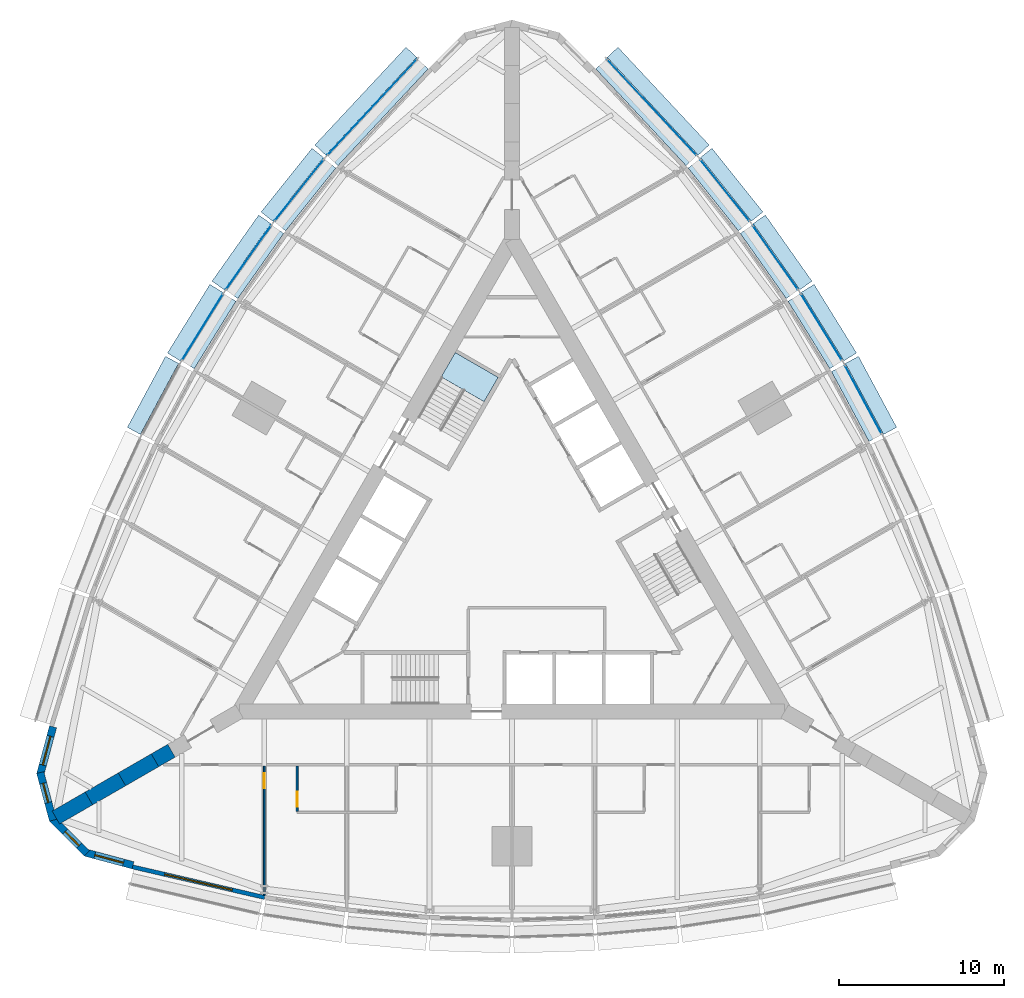
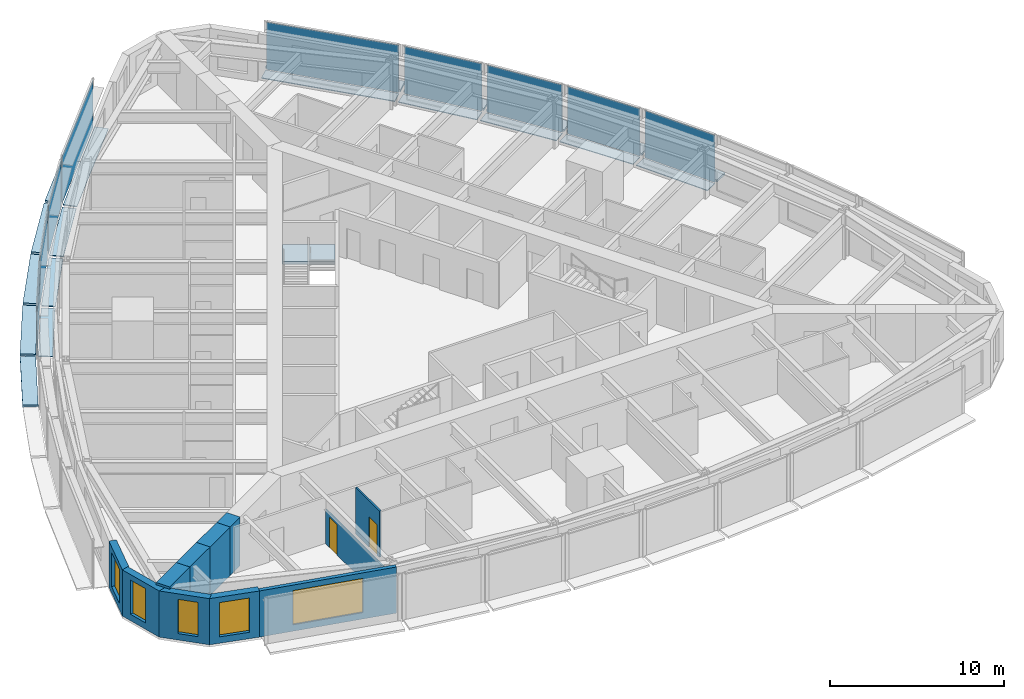
# One storey, part 7 of 14: 28 plates, 11 walls, 5 windows, 2 doors, 1 slab, 7 openings, 10 elements without a shape of their own.
"""IFC4 building model written with IfcOpenShell, lengths in metres."""

from ifc_helpers import new_model, si_unit, direction, frame, frame_2d, origin, origin_2d, place, context, subcontext, project, spatial, polyline, rectangle, outline, extrude, material, layer, layer_set, type_object, element, fill, aggregate, save


model = new_model("IFC4")

# Units and contexts
model_context = context("Model", 3, precision=1e-05, world=origin(), true_north=direction((0.0, 1.0)))
body_context = subcontext(model_context, "Body", "Model", "MODEL_VIEW")
ifc_project = project(units=[si_unit("LENGTHUNIT", "METRE"), si_unit("AREAUNIT", "SQUARE_METRE"), si_unit("VOLUMEUNIT", "CUBIC_METRE"), si_unit("PLANEANGLEUNIT", "RADIAN"), si_unit("MASSUNIT", "GRAM", prefix="KILO")], contexts=[model_context])

# Site, building, storey
site_placement = place(None, origin())
site = spatial("IfcSite", under=ifc_project, at=site_placement, CompositionType="ELEMENT")
building_placement = place(site_placement, origin())
building = spatial("IfcBuilding", under=site, at=building_placement, Name="Trikona Tower", CompositionType="ELEMENT")
storey_placement = place(building_placement, frame((0.0, 0.0, 52.300048828125)))
storey = spatial("IfcBuildingStorey", under=building, at=storey_placement, Name="L12", CompositionType="ELEMENT", Elevation=52.300048828125)

# Plates
ifc_material_1 = material(Name="Aluminium bar grating", Category="aluminium")
ifc_layer_1 = layer(ifc_material_1, 0.050048828125)
ifc_layer_set_1 = layer_set([ifc_layer_1], Name="Cavity catwalk grating")
plate_type_1 = type_object("IfcPlateType", Name="Cavity catwalk grating", PredefinedType="USERDEFINED", material=ifc_layer_set_1)
for number, where, z_axis, x_axis, name in (
    (1, (20.833740234375, 9.127197265625, -0.05029296875), (0.0, 0.0, 1.0), (-0.473422672721, 0.880835383572, 0.0), "Cavity catwalk L12-15"),
    (2, (18.3212890625, 13.47900390625, -0.05029296875), (0.0, 0.0, 1.0), (-0.526118935114, 0.85041099835, 0.0), "Cavity catwalk L12-16"),
):
    element("IfcPlate", number, at=place(storey_placement, frame(where, z_axis=z_axis, x_axis=x_axis)), inside=storey, type_object=plate_type_1, Name=name, ObjectType="CATWALK GRATING", PredefinedType="USERDEFINED", context=body_context, shape_type="SweptSolid", body=[
        extrude(rectangle(XDim=4.80224609375, YDim=0.820068359375, at=origin_2d()), origin(), (0.0, 0.0, 1.0), 0.050048828125),
    ])
plate_1_placement = place(storey_placement, frame((15.544189453125, 17.677734375, -0.05029296875), z_axis=(0.0, 0.0, 1.0), x_axis=(-0.576661909499, 0.816982889743, 0.0)))
element("IfcPlate", 3, at=plate_1_placement, inside=storey, type_object=plate_type_1, Name="Cavity catwalk L12-17", ObjectType="CATWALK GRATING", PredefinedType="USERDEFINED", context=body_context, shape_type="SweptSolid", body=[
    extrude(rectangle(XDim=4.82080078125, YDim=0.820068359375, at=origin_2d()), origin(), (0.0, 0.0, 1.0), 0.050048828125),
])
plate_2_placement = place(storey_placement, frame((12.502197265625, 21.72314453125, -0.05029296875), z_axis=(0.0, 0.0, 1.0), x_axis=(-0.624603618277, 0.780941944087, 0.0)))
element("IfcPlate", 4, at=plate_2_placement, inside=storey, type_object=plate_type_1, Name="Cavity catwalk L12-18", ObjectType="CATWALK GRATING", PredefinedType="USERDEFINED", context=body_context, shape_type="SweptSolid", body=[
    extrude(rectangle(XDim=4.857666015625, YDim=0.820068359375, at=origin_2d()), origin(), (0.0, 0.0, 1.0), 0.050048828125),
])
for number, where, z_axis, x_axis, name in (
    (5, (8.10107421875, 26.72314453125, -0.05029296875), (0.0, 0.0, 1.0), (-0.682298269147, 0.731073916864, 0.0), "Cavity catwalk L12-19"),
    (6, (-8.10107421875, 26.72314453125, -0.05029296875), (0.0, 0.0, 1.0), (-0.682298269147, -0.731073916864, 0.0), "Cavity catwalk L12-24"),
):
    element("IfcPlate", number, at=place(storey_placement, frame(where, z_axis=z_axis, x_axis=x_axis)), inside=storey, type_object=plate_type_1, Name=name, ObjectType="CATWALK GRATING", PredefinedType="USERDEFINED", context=body_context, shape_type="SweptSolid", body=[
        extrude(rectangle(XDim=8.01123046875, YDim=0.820068359375, at=origin_2d()), origin(), (0.0, 0.0, 1.0), 0.050048828125),
    ])
plate_3_placement = place(storey_placement, frame((-12.502197265625, 21.72314453125, -0.05029296875), z_axis=(0.0, 0.0, 1.0), x_axis=(-0.624603618277, -0.780941944087, 0.0)))
element("IfcPlate", 7, at=plate_3_placement, inside=storey, type_object=plate_type_1, Name="Cavity catwalk L12-25", ObjectType="CATWALK GRATING", PredefinedType="USERDEFINED", context=body_context, shape_type="SweptSolid", body=[
    extrude(rectangle(XDim=4.857666015625, YDim=0.820068359375, at=origin_2d()), origin(), (0.0, 0.0, 1.0), 0.050048828125),
])
plate_4_placement = place(storey_placement, frame((-15.544189453125, 17.677734375, -0.05029296875), z_axis=(0.0, 0.0, 1.0), x_axis=(-0.576661909499, -0.816982889743, 0.0)))
element("IfcPlate", 8, at=plate_4_placement, inside=storey, type_object=plate_type_1, Name="Cavity catwalk L12-26", ObjectType="CATWALK GRATING", PredefinedType="USERDEFINED", context=body_context, shape_type="SweptSolid", body=[
    extrude(rectangle(XDim=4.82080078125, YDim=0.820068359375, at=origin_2d()), origin(), (0.0, 0.0, 1.0), 0.050048828125),
])
plate_5_placement = place(storey_placement, frame((-18.3212890625, 13.47900390625, -0.05029296875), z_axis=(0.0, 0.0, 1.0), x_axis=(-0.526118935114, -0.85041099835, 0.0)))
element("IfcPlate", 9, at=plate_5_placement, inside=storey, type_object=plate_type_1, Name="Cavity catwalk L12-27", ObjectType="CATWALK GRATING", PredefinedType="USERDEFINED", context=body_context, shape_type="SweptSolid", body=[
    extrude(rectangle(XDim=4.80224609375, YDim=0.820068359375, at=origin_2d()), origin(), (0.0, 0.0, 1.0), 0.050048828125),
])

# Curtain wall, plate
ifc_material_2 = material(Name="Aluminium curtain wall system", Category="aluminium")
curtain_wall_type = type_object("IfcCurtainWallType", Name="Curtain wall DS1", PredefinedType="NOTDEFINED", material=ifc_material_2)
curtain_wall_1_placement = place(storey_placement, origin())
curtain_wall_1 = element("IfcCurtainWall", 10, at=curtain_wall_1_placement, inside=storey, type_object=curtain_wall_type, Name="Curtain wall DS1 L12", PredefinedType="NOTDEFINED")
ifc_material_3 = material(Name="Laminated clear glass", Category="glass")
ifc_layer_2 = layer(ifc_material_3, 0.028076171875)
ifc_layer_set_2 = layer_set([ifc_layer_2], Name="Glass panel DS1")
plate_type_2 = type_object("IfcPlateType", Name="Glass panel DS1", PredefinedType="CURTAIN_PANEL", material=ifc_layer_set_2)
plate_6_placement = place(storey_placement, frame((21.265380859375, 9.359130859375, 0.0), z_axis=(0.0, 0.0, 1.0), x_axis=(-0.473408350896, 0.880843080975, 0.0)))
plate_6 = element("IfcPlate", 11, at=plate_6_placement, type_object=plate_type_2, Name="CW-DS1 panel 1.1", PredefinedType="CURTAIN_PANEL", context=body_context, shape_type="SweptSolid", body=[
    extrude(rectangle(XDim=4.72216796875, YDim=0.028076171875, at=origin_2d()), origin(), (0.0, 0.0, 1.0), 3.320068359375),
])
aggregate(curtain_wall_1, [plate_6])

curtain_wall_2_placement = place(storey_placement, origin())
curtain_wall_2 = element("IfcCurtainWall", 12, at=curtain_wall_2_placement, inside=storey, type_object=curtain_wall_type, Name="Curtain wall DS1 L12", PredefinedType="NOTDEFINED")
plate_7_placement = place(storey_placement, frame((18.738037109375, 13.73681640625, 0.0), z_axis=(0.0, 0.0, 1.0), x_axis=(-0.526119790842, 0.850410468941, 0.0)))
plate_7 = element("IfcPlate", 13, at=plate_7_placement, type_object=plate_type_2, Name="CW-DS1 panel 1.1", PredefinedType="CURTAIN_PANEL", context=body_context, shape_type="SweptSolid", body=[
    extrude(rectangle(XDim=4.722412109375, YDim=0.028076171875, at=origin_2d()), origin(), (0.0, 0.0, 1.0), 3.320068359375),
])
aggregate(curtain_wall_2, [plate_7])

curtain_wall_3_placement = place(storey_placement, origin())
curtain_wall_3 = element("IfcCurtainWall", 14, at=curtain_wall_3_placement, inside=storey, type_object=curtain_wall_type, Name="Curtain wall DS1 L12", PredefinedType="NOTDEFINED")
plate_8_placement = place(storey_placement, frame((15.9443359375, 17.960205078125, 0.0), z_axis=(0.0, 0.0, 1.0), x_axis=(-0.576658362928, 0.816985393055, 0.0)))
plate_8 = element("IfcPlate", 15, at=plate_8_placement, type_object=plate_type_2, Name="CW-DS1 panel 1.1", PredefinedType="CURTAIN_PANEL", context=body_context, shape_type="SweptSolid", body=[
    extrude(rectangle(XDim=4.74072265625, YDim=0.028076171875, at=origin_2d()), origin(), (0.0, 0.0, 1.0), 3.320068359375),
])
aggregate(curtain_wall_3, [plate_8])

curtain_wall_4_placement = place(storey_placement, origin())
curtain_wall_4 = element("IfcCurtainWall", 16, at=curtain_wall_4_placement, inside=storey, type_object=curtain_wall_type, Name="Curtain wall DS1 L12", PredefinedType="NOTDEFINED")
plate_9_placement = place(storey_placement, frame((12.884765625, 22.029296875, 0.0), z_axis=(0.0, 0.0, 1.0), x_axis=(-0.624608599951, 0.780937959679, 0.0)))
plate_9 = element("IfcPlate", 17, at=plate_9_placement, type_object=plate_type_2, Name="CW-DS1 panel 1.1", PredefinedType="CURTAIN_PANEL", context=body_context, shape_type="SweptSolid", body=[
    extrude(rectangle(XDim=4.777587890625, YDim=0.028076171875, at=origin_2d()), origin(), (0.0, 0.0, 1.0), 3.320068359375),
])
aggregate(curtain_wall_4, [plate_9])

curtain_wall_5_placement = place(storey_placement, origin())
curtain_wall_5 = element("IfcCurtainWall", 18, at=curtain_wall_5_placement, inside=storey, type_object=curtain_wall_type, Name="Curtain wall DS1 L12", PredefinedType="NOTDEFINED")
plate_10_placement = place(storey_placement, frame((8.459228515625, 27.057373046875, 0.0), z_axis=(0.0, 0.0, 1.0), x_axis=(-0.682295351967, 0.731076639405, 0.0)))
plate_10 = element("IfcPlate", 19, at=plate_10_placement, type_object=plate_type_2, Name="CW-DS1 panel 1.1", PredefinedType="CURTAIN_PANEL", context=body_context, shape_type="SweptSolid", body=[
    extrude(rectangle(XDim=7.93115234375, YDim=0.028076171875, at=origin_2d()), origin(), (0.0, 0.0, 1.0), 3.320068359375),
])
aggregate(curtain_wall_5, [plate_10])

curtain_wall_6_placement = place(storey_placement, origin())
curtain_wall_6 = element("IfcCurtainWall", 20, at=curtain_wall_6_placement, inside=storey, type_object=curtain_wall_type, Name="Curtain wall DS1 L12", PredefinedType="NOTDEFINED")
plate_11_placement = place(storey_placement, frame((-8.459228515625, 27.057373046875, 0.0), z_axis=(0.0, 0.0, 1.0), x_axis=(-0.682295351967, -0.731076639405, 0.0)))
plate_11 = element("IfcPlate", 21, at=plate_11_placement, type_object=plate_type_2, Name="CW-DS1 panel 1.1", PredefinedType="CURTAIN_PANEL", context=body_context, shape_type="SweptSolid", body=[
    extrude(rectangle(XDim=7.93115234375, YDim=0.028076171875, at=origin_2d()), origin(), (0.0, 0.0, 1.0), 3.320068359375),
])
aggregate(curtain_wall_6, [plate_11])

curtain_wall_7_placement = place(storey_placement, origin())
curtain_wall_7 = element("IfcCurtainWall", 22, at=curtain_wall_7_placement, inside=storey, type_object=curtain_wall_type, Name="Curtain wall DS1 L12", PredefinedType="NOTDEFINED")
plate_12_placement = place(storey_placement, frame((-12.884765625, 22.029296875, 0.0), z_axis=(0.0, 0.0, 1.0), x_axis=(-0.624608599951, -0.780937959679, 0.0)))
plate_12 = element("IfcPlate", 23, at=plate_12_placement, type_object=plate_type_2, Name="CW-DS1 panel 1.1", PredefinedType="CURTAIN_PANEL", context=body_context, shape_type="SweptSolid", body=[
    extrude(rectangle(XDim=4.777587890625, YDim=0.028076171875, at=origin_2d()), origin(), (0.0, 0.0, 1.0), 3.320068359375),
])
aggregate(curtain_wall_7, [plate_12])

curtain_wall_8_placement = place(storey_placement, origin())
curtain_wall_8 = element("IfcCurtainWall", 24, at=curtain_wall_8_placement, inside=storey, type_object=curtain_wall_type, Name="Curtain wall DS1 L12", PredefinedType="NOTDEFINED")
plate_13_placement = place(storey_placement, frame((-15.9443359375, 17.960205078125, 0.0), z_axis=(0.0, 0.0, 1.0), x_axis=(-0.576658362928, -0.816985393055, 0.0)))
plate_13 = element("IfcPlate", 25, at=plate_13_placement, type_object=plate_type_2, Name="CW-DS1 panel 1.1", PredefinedType="CURTAIN_PANEL", context=body_context, shape_type="SweptSolid", body=[
    extrude(rectangle(XDim=4.74072265625, YDim=0.028076171875, at=origin_2d()), origin(), (0.0, 0.0, 1.0), 3.320068359375),
])
aggregate(curtain_wall_8, [plate_13])

curtain_wall_9_placement = place(storey_placement, origin())
curtain_wall_9 = element("IfcCurtainWall", 26, at=curtain_wall_9_placement, inside=storey, type_object=curtain_wall_type, Name="Curtain wall DS1 L12", PredefinedType="NOTDEFINED")
plate_14_placement = place(storey_placement, frame((-18.738037109375, 13.73681640625, 0.0), z_axis=(0.0, 0.0, 1.0), x_axis=(-0.526119790842, -0.850410468941, 0.0)))
plate_14 = element("IfcPlate", 27, at=plate_14_placement, type_object=plate_type_2, Name="CW-DS1 panel 1.1", PredefinedType="CURTAIN_PANEL", context=body_context, shape_type="SweptSolid", body=[
    extrude(rectangle(XDim=4.722412109375, YDim=0.028076171875, at=origin_2d()), origin(), (0.0, 0.0, 1.0), 3.320068359375),
])
aggregate(curtain_wall_9, [plate_14])

# Plates
ifc_material_4 = material(Name="Aluminium plate fin, pale anodised, on stainless steel outriggers", Category="steel")
ifc_layer_3 = layer(ifc_material_4, 0.14990234375)
ifc_layer_set_3 = layer_set([ifc_layer_3], Name="Outer skin fin 900")
plate_type_3 = type_object("IfcPlateType", Name="Outer skin fin 900", PredefinedType="USERDEFINED", material=ifc_layer_set_3)
for number, where, z_axis, x_axis, name in (
    (28, (21.732421875, 9.610107421875, 0.0), (0.0, 0.0, 1.0), (-0.473422672721, 0.880835383572, 0.0), "Outer skin fin L12-15"),
    (29, (19.188720703125, 14.015625, 0.0), (0.0, 0.0, 1.0), (-0.526118935114, 0.85041099835, 0.0), "Outer skin fin L12-16"),
):
    element("IfcPlate", number, at=place(storey_placement, frame(where, z_axis=z_axis, x_axis=x_axis)), inside=storey, type_object=plate_type_3, Name=name, ObjectType="FIN", PredefinedType="USERDEFINED", context=body_context, shape_type="SweptSolid", body=[
        extrude(rectangle(XDim=4.88232421875, YDim=0.89990234375, at=origin_2d()), origin(), (0.0, 0.0, 1.0), 0.14990234375),
    ])
plate_15_placement = place(storey_placement, frame((16.37744140625, 18.265869140625, 0.0), z_axis=(0.0, 0.0, 1.0), x_axis=(-0.576661909499, 0.816982889743, 0.0)))
element("IfcPlate", 30, at=plate_15_placement, inside=storey, type_object=plate_type_3, Name="Outer skin fin L12-17", ObjectType="FIN", PredefinedType="USERDEFINED", context=body_context, shape_type="SweptSolid", body=[
    extrude(rectangle(XDim=4.90087890625, YDim=0.89990234375, at=origin_2d()), origin(), (0.0, 0.0, 1.0), 0.14990234375),
])
plate_16_placement = place(storey_placement, frame((13.298583984375, 22.360107421875, 0.0), z_axis=(0.0, 0.0, 1.0), x_axis=(-0.624603618277, 0.780941944087, 0.0)))
element("IfcPlate", 31, at=plate_16_placement, inside=storey, type_object=plate_type_3, Name="Outer skin fin L12-18", ObjectType="FIN", PredefinedType="USERDEFINED", context=body_context, shape_type="SweptSolid", body=[
    extrude(rectangle(XDim=4.9375, YDim=0.89990234375, at=origin_2d()), origin(), (0.0, 0.0, 1.0), 0.14990234375),
])
for number, where, z_axis, x_axis, name in (
    (32, (8.8466796875, 27.419189453125, 0.0), (0.0, 0.0, 1.0), (-0.682298269147, 0.731073916864, 0.0), "Outer skin fin L12-19"),
    (33, (-8.8466796875, 27.419189453125, 0.0), (0.0, 0.0, 1.0), (-0.682298269147, -0.731073916864, 0.0), "Outer skin fin L12-24"),
):
    element("IfcPlate", number, at=place(storey_placement, frame(where, z_axis=z_axis, x_axis=x_axis)), inside=storey, type_object=plate_type_3, Name=name, ObjectType="FIN", PredefinedType="USERDEFINED", context=body_context, shape_type="SweptSolid", body=[
        extrude(rectangle(XDim=8.09130859375, YDim=0.89990234375, at=origin_2d()), origin(), (0.0, 0.0, 1.0), 0.14990234375),
    ])
plate_17_placement = place(storey_placement, frame((-13.298583984375, 22.360107421875, 0.0), z_axis=(0.0, 0.0, 1.0), x_axis=(-0.624603618277, -0.780941944087, 0.0)))
element("IfcPlate", 34, at=plate_17_placement, inside=storey, type_object=plate_type_3, Name="Outer skin fin L12-25", ObjectType="FIN", PredefinedType="USERDEFINED", context=body_context, shape_type="SweptSolid", body=[
    extrude(rectangle(XDim=4.9375, YDim=0.89990234375, at=origin_2d()), origin(), (0.0, 0.0, 1.0), 0.14990234375),
])
plate_18_placement = place(storey_placement, frame((-16.37744140625, 18.265869140625, 0.0), z_axis=(0.0, 0.0, 1.0), x_axis=(-0.576661909499, -0.816982889743, 0.0)))
element("IfcPlate", 35, at=plate_18_placement, inside=storey, type_object=plate_type_3, Name="Outer skin fin L12-26", ObjectType="FIN", PredefinedType="USERDEFINED", context=body_context, shape_type="SweptSolid", body=[
    extrude(rectangle(XDim=4.90087890625, YDim=0.89990234375, at=origin_2d()), origin(), (0.0, 0.0, 1.0), 0.14990234375),
])
for number, where, z_axis, x_axis, name in (
    (36, (-19.188720703125, 14.015625, 0.0), (0.0, 0.0, 1.0), (-0.526118935114, -0.85041099835, 0.0), "Outer skin fin L12-27"),
    (37, (-21.732421875, 9.610107421875, 0.0), (0.0, 0.0, 1.0), (-0.473422672721, -0.880835383572, 0.0), "Outer skin fin L12-28"),
):
    element("IfcPlate", number, at=place(storey_placement, frame(where, z_axis=z_axis, x_axis=x_axis)), inside=storey, type_object=plate_type_3, Name=name, ObjectType="FIN", PredefinedType="USERDEFINED", context=body_context, shape_type="SweptSolid", body=[
        extrude(rectangle(XDim=4.88232421875, YDim=0.89990234375, at=origin_2d()), origin(), (0.0, 0.0, 1.0), 0.14990234375),
    ])

# Stair, slab
ifc_material_5 = material(Name="Concrete f'c 5000 psi", Category="concrete")
stair_type = type_object("IfcStairType", Name="Core stair", PredefinedType="HALF_TURN_STAIR", material=ifc_material_5)
stair_placement = place(storey_placement, origin())
stair = element("IfcStair", 38, at=stair_placement, inside=storey, type_object=stair_type, Name="Stair C L12", PredefinedType="HALF_TURN_STAIR")
ifc_material_6 = material(Name="Concrete f'c 5000 psi", Category="concrete")
ifc_layer_4 = layer(ifc_material_6, 0.199951171875)
ifc_layer_set_4 = layer_set([ifc_layer_4], Name="Stair landing 200")
slab_type = type_object("IfcSlabType", Name="Stair landing 200", PredefinedType="LANDING", material=ifc_layer_set_4)
slab_placement = place(storey_placement, frame((0.0, 0.0, 1.5)))
slab = element("IfcSlab", 39, at=slab_placement, type_object=slab_type, Name="ST-C landing 2", PredefinedType="LANDING", context=body_context, shape_type="SweptSolid", body=[
    extrude(outline(polyline([(-0.837158203125, 10.702392578125), (-1.688720703125, 9.2275390625), (-4.286865234375, 10.7275390625), (-3.435302734375, 12.202392578125), (-0.837158203125, 10.702392578125)])), origin(), (0.0, 0.0, 1.0), 0.199951171875),
])
aggregate(stair, [slab])

# Wall, opening, door
ifc_material_7 = material(Name="Metal stud and cement board", Category="gypsum")
ifc_layer_5 = layer(ifc_material_7, 0.1201171875)
ifc_layer_set_5 = layer_set([ifc_layer_5], Name="Bathroom wall 120")
wall_type_1 = type_object("IfcWallType", Name="Bathroom wall 120", PredefinedType="PLUMBINGWALL", material=ifc_layer_set_5)
wall_1_placement = place(storey_placement, frame((-13.0, -12.826416015625, 0.0), z_axis=(0.0, 0.0, 1.0), x_axis=(0.0, -1.0, 0.0)))
wall_1 = element("IfcWall", 40, at=wall_1_placement, inside=storey, type_object=wall_type_1, Name="Bathroom wall 1201.1", PredefinedType="PLUMBINGWALL", context=body_context, shape_type="SweptSolid", body=[
    extrude(rectangle(XDim=2.739990234375, YDim=0.1201171875, at=frame_2d((1.3701171875, 0.0))), origin(), (0.0, 0.0, 1.0), 3.23486328125),
])
opening_1_placement = place(wall_1_placement, frame((1.550048828125, 0.0, 0.0)))
opening_1 = element("IfcOpeningElement", 41, at=opening_1_placement, cuts=wall_1, Name="Opening D2", PredefinedType="OPENING", context=body_context, shape_type="SweptSolid", body=[
    extrude(rectangle(XDim=0.89990234375, YDim=2.1298828125, at=frame_2d((0.449951171875, 1.06494140625))), frame((0.0, 0.070068359375, 0.0), z_axis=(0.0, -1.0, 0.0), x_axis=(1.0, 0.0, 0.0)), (0.0, 0.0, 1.0), 0.14013671875),
])
ifc_material_8 = material(Name="Steel door frame with solid-core timber leaf", Category="steel")
door_type_1 = type_object("IfcDoorType", Name="Bathroom door 900x2130", OperationType="SLIDING_TO_LEFT", PredefinedType="DOOR", material=ifc_material_8)
door_1_placement = place(opening_1_placement, origin())
door_1 = element("IfcDoor", 42, at=door_1_placement, inside=storey, type_object=door_type_1, Name="Bathroom door 1201.1", OperationType="SLIDING_TO_LEFT", OverallHeight=2.1298828125, OverallWidth=0.89990234375, PredefinedType="DOOR", context=body_context, shape_type="SweptSolid", body=[
    extrude(rectangle(XDim=0.89990234375, YDim=2.1298828125, at=frame_2d((0.449951171875, 1.06494140625))), frame((0.0, 0.02490234375, 0.0), z_axis=(0.0, -1.0, 0.0), x_axis=(1.0, 0.0, 0.0)), (0.0, 0.0, 1.0), 0.050048828125),
])
fill(opening_1, door_1)

# Wall, opening, window
ifc_material_9 = material(Name="Brick-faced precast concrete", Category="masonry")
ifc_layer_6 = layer(ifc_material_9, 0.449951171875)
ifc_layer_set_6 = layer_set([ifc_layer_6], Name="Brick-faced corner wall 450")
wall_type_2 = type_object("IfcWallType", Name="Brick-faced corner wall 450", PredefinedType="SOLIDWALL", material=ifc_layer_set_6)
wall_2_placement = place(storey_placement, frame((-27.78271484375, -10.450439453125, 0.0), z_axis=(0.0, 0.0, 1.0), x_axis=(-0.258780998834, -0.965936019953, 0.0)))
wall_2 = element("IfcWall", 43, at=wall_2_placement, inside=storey, type_object=wall_type_2, Name="External wall L12-32", PredefinedType="SOLIDWALL", context=body_context, shape_type="SweptSolid", body=[
    extrude(rectangle(XDim=2.98876953125, YDim=0.449951171875, at=frame_2d((1.494384765625, 0.0))), origin(), (0.0, 0.0, 1.0), 3.23486328125),
])
opening_2_placement = place(wall_2_placement, frame((0.59423828125, 0.0, 0.449951171875)))
opening_2 = element("IfcOpeningElement", 44, at=opening_2_placement, cuts=wall_2, Name="Opening W1824", PredefinedType="OPENING", context=body_context, shape_type="SweptSolid", body=[
    extrude(rectangle(XDim=1.800048828125, YDim=2.39990234375, at=frame_2d((0.89990234375, 1.199951171875))), frame((0.0, 0.23486328125, 0.0), z_axis=(0.0, -1.0, 0.0), x_axis=(1.0, 0.0, 0.0)), (0.0, 0.0, 1.0), 0.469970703125),
])
ifc_material_10 = material(Name="Aluminium-framed double glazing", Category="aluminium")
window_type_1 = type_object("IfcWindowType", Name="Window 1800x2400", PartitioningType="SINGLE_PANEL", PredefinedType="WINDOW", material=ifc_material_10)
window_1_placement = place(opening_2_placement, origin())
window_1 = element("IfcWindow", 45, at=window_1_placement, inside=storey, type_object=window_type_1, Name="Window 1216", OverallHeight=2.39990234375, OverallWidth=1.800048828125, PartitioningType="SINGLE_PANEL", PredefinedType="WINDOW", context=body_context, shape_type="SweptSolid", body=[
    extrude(rectangle(XDim=1.800048828125, YDim=2.39990234375, at=frame_2d((0.89990234375, 1.199951171875))), frame((0.0, 0.030029296875, 0.0), z_axis=(0.0, -1.0, 0.0), x_axis=(1.0, 0.0, 0.0)), (0.0, 0.0, 1.0), 0.06005859375),
])
fill(opening_2, window_1)

wall_3_placement = place(storey_placement, frame((-28.55615234375, -13.220947265625, 0.0), z_axis=(0.0, 0.0, 1.0), x_axis=(0.258801419081, -0.965930548995, 0.0)))
wall_3 = element("IfcWall", 46, at=wall_3_placement, inside=storey, type_object=wall_type_2, Name="External wall L12-33", PredefinedType="SOLIDWALL", context=body_context, shape_type="SweptSolid", body=[
    extrude(outline(polyline([(2.988525390625, 0.22509765625), (2.928955078125, 0.22509765625), (2.437255859375, 0.09326171875), (2.402099609375, 0.22509765625), (0.0, 0.22509765625), (0.0, -0.22509765625), (2.988525390625, -0.22509765625), (2.988525390625, 0.22509765625)])), origin(), (0.0, 0.0, 1.0), 3.23486328125),
])
opening_3_placement = place(wall_3_placement, frame((0.676025390625, 0.0, 0.449951171875)))
opening_3 = element("IfcOpeningElement", 47, at=opening_3_placement, cuts=wall_3, Name="Opening W1224", PredefinedType="OPENING", context=body_context, shape_type="SweptSolid", body=[
    extrude(rectangle(XDim=1.199951171875, YDim=2.39990234375, at=frame_2d((0.60009765625, 1.199951171875))), frame((0.0, 0.23486328125, 0.0), z_axis=(0.0, -1.0, 0.0), x_axis=(1.0, 0.0, 0.0)), (0.0, 0.0, 1.0), 0.469970703125),
])
ifc_material_11 = material(Name="Aluminium-framed double glazing", Category="aluminium")
window_type_2 = type_object("IfcWindowType", Name="Window 1200x2400", PartitioningType="SINGLE_PANEL", PredefinedType="WINDOW", material=ifc_material_11)
window_2_placement = place(opening_3_placement, origin())
window_2 = element("IfcWindow", 48, at=window_2_placement, inside=storey, type_object=window_type_2, Name="Window 1216", OverallHeight=2.39990234375, OverallWidth=1.199951171875, PartitioningType="SINGLE_PANEL", PredefinedType="WINDOW", context=body_context, shape_type="SweptSolid", body=[
    extrude(rectangle(XDim=1.199951171875, YDim=2.39990234375, at=frame_2d((0.60009765625, 1.199951171875))), frame((0.0, 0.030029296875, 0.0), z_axis=(0.0, -1.0, 0.0), x_axis=(1.0, 0.0, 0.0)), (0.0, 0.0, 1.0), 0.06005859375),
])
fill(opening_3, window_2)

wall_4_placement = place(storey_placement, frame((-27.8408203125, -16.006591796875, 0.0), z_axis=(0.0, 0.0, 1.0), x_axis=(0.707025086683, -0.707188466253, 0.0)))
wall_4 = element("IfcWall", 49, at=wall_4_placement, inside=storey, type_object=wall_type_2, Name="External wall L12-34", PredefinedType="SOLIDWALL", context=body_context, shape_type="SweptSolid", body=[
    extrude(outline(polyline([(2.988525390625, 0.22509765625), (0.58642578125, 0.22509765625), (0.551025390625, 0.093017578125), (0.058837890625, 0.22509765625), (0.0, 0.22509765625), (0.0, -0.22509765625), (2.988525390625, -0.22509765625), (2.988525390625, 0.22509765625)])), origin(), (0.0, 0.0, 1.0), 3.23486328125),
])
opening_4_placement = place(wall_4_placement, frame((1.112548828125, 0.0, 0.449951171875)))
opening_4 = element("IfcOpeningElement", 50, at=opening_4_placement, cuts=wall_4, Name="Opening W1224", PredefinedType="OPENING", context=body_context, shape_type="SweptSolid", body=[
    extrude(rectangle(XDim=1.199951171875, YDim=2.39990234375, at=frame_2d((0.60009765625, 1.199951171875))), frame((0.0, 0.23486328125, 0.0), z_axis=(0.0, -1.0, 0.0), x_axis=(1.0, 0.0, 0.0)), (0.0, 0.0, 1.0), 0.469970703125),
])
window_3_placement = place(opening_4_placement, origin())
window_3 = element("IfcWindow", 51, at=window_3_placement, inside=storey, type_object=window_type_2, Name="Window 1201", OverallHeight=2.39990234375, OverallWidth=1.199951171875, PartitioningType="SINGLE_PANEL", PredefinedType="WINDOW", context=body_context, shape_type="SweptSolid", body=[
    extrude(rectangle(XDim=1.199951171875, YDim=2.39990234375, at=frame_2d((0.60009765625, 1.199951171875))), frame((0.0, 0.030029296875, 0.0), z_axis=(0.0, -1.0, 0.0), x_axis=(1.0, 0.0, 0.0)), (0.0, 0.0, 1.0), 0.06005859375),
])
fill(opening_4, window_3)

wall_5_placement = place(storey_placement, frame((-25.82861328125, -18.061767578125, 0.0), z_axis=(0.0, 0.0, 1.0), x_axis=(0.965930548995, -0.258801419081, 0.0)))
wall_5 = element("IfcWall", 52, at=wall_5_placement, inside=storey, type_object=wall_type_2, Name="External wall L12-35", PredefinedType="SOLIDWALL", context=body_context, shape_type="SweptSolid", body=[
    extrude(rectangle(XDim=2.988525390625, YDim=0.449951171875, at=frame_2d((1.494140625, 0.0))), origin(), (0.0, 0.0, 1.0), 3.23486328125),
])
opening_5_placement = place(wall_5_placement, frame((0.59423828125, 0.0, 0.449951171875)))
opening_5 = element("IfcOpeningElement", 53, at=opening_5_placement, cuts=wall_5, Name="Opening W1824", PredefinedType="OPENING", context=body_context, shape_type="SweptSolid", body=[
    extrude(rectangle(XDim=1.800048828125, YDim=2.39990234375, at=frame_2d((0.89990234375, 1.199951171875))), frame((0.0, 0.23486328125, 0.0), z_axis=(0.0, -1.0, 0.0), x_axis=(1.0, 0.0, 0.0)), (0.0, 0.0, 1.0), 0.469970703125),
])
window_4_placement = place(opening_5_placement, origin())
window_4 = element("IfcWindow", 54, at=window_4_placement, inside=storey, type_object=window_type_1, Name="Window 1201", OverallHeight=2.39990234375, OverallWidth=1.800048828125, PartitioningType="SINGLE_PANEL", PredefinedType="WINDOW", context=body_context, shape_type="SweptSolid", body=[
    extrude(rectangle(XDim=1.800048828125, YDim=2.39990234375, at=frame_2d((0.89990234375, 1.199951171875))), frame((0.0, 0.030029296875, 0.0), z_axis=(0.0, -1.0, 0.0), x_axis=(1.0, 0.0, 0.0)), (0.0, 0.0, 1.0), 0.06005859375),
])
fill(opening_5, window_4)

# Walls
ifc_material_12 = material(Name="Concrete f'c 10000 psi", Category="concrete")
ifc_layer_7 = layer(ifc_material_12, 0.89990234375)
ifc_layer_set_7 = layer_set([ifc_layer_7], Name="Buttress wall 900")
wall_type_3 = type_object("IfcWallType", Name="Buttress wall 900", PredefinedType="SHEAR", material=ifc_layer_set_7)
wall_6_placement = place(storey_placement, frame((-20.6103515625, -11.8994140625, 0.0), z_axis=(0.0, 0.0, 1.0), x_axis=(-0.866009537788, -0.500027479704, 0.0)))
element("IfcWall", 55, at=wall_6_placement, inside=storey, type_object=wall_type_3, Name="Buttress wall 3 part 2", PredefinedType="SHEAR", context=body_context, shape_type="SweptSolid", body=[
    extrude(rectangle(XDim=1.15478515625, YDim=0.89990234375, at=frame_2d((0.577392578125, 0.0))), origin(), (0.0, 0.0, 1.0), 3.39990234375),
])
for number, where, z_axis, x_axis, name in (
    (56, (-21.6103515625, -12.476806640625, 0.0), (0.0, 0.0, 1.0), (-0.866055313784, -0.499948190782, 0.0), "Buttress wall 3 part 3"),
    (57, (-23.6103515625, -13.63134765625, 0.0), (0.0, 0.0, 1.0), (-0.866009537788, -0.500027479704, 0.0), "Buttress wall 3 part 4"),
    (58, (-25.6103515625, -14.7861328125, 0.0), (0.0, 0.0, 1.0), (-0.866009537788, -0.500027479704, 0.0), "Buttress wall 3 part 5"),
):
    element("IfcWall", number, at=place(storey_placement, frame(where, z_axis=z_axis, x_axis=x_axis)), inside=storey, type_object=wall_type_3, Name=name, PredefinedType="SHEAR", context=body_context, shape_type="SweptSolid", body=[
        extrude(rectangle(XDim=2.309326171875, YDim=0.89990234375, at=frame_2d((1.15478515625, 0.0))), origin(), (0.0, 0.0, 1.0), 3.39990234375),
    ])

# Wall, opening, window
ifc_material_13 = material(Name="Insulated precast concrete spandrel panel", Category="concrete")
ifc_layer_8 = layer(ifc_material_13, 0.25)
ifc_layer_set_8 = layer_set([ifc_layer_8], Name="Inner skin wall 250")
wall_type_4 = type_object("IfcWallType", Name="Inner skin wall 250", PredefinedType="STANDARD", material=ifc_layer_set_8)
wall_7_placement = place(storey_placement, frame((-22.9716796875, -18.930908203125, 0.0), z_axis=(0.0, 0.0, 1.0), x_axis=(0.974279327392, -0.225343720163, 0.0)))
wall_7 = element("IfcWall", 59, at=wall_7_placement, inside=storey, type_object=wall_type_4, Name="External wall L12-00", PredefinedType="STANDARD", context=body_context, shape_type="SweptSolid", body=[
    extrude(rectangle(XDim=8.211181640625, YDim=0.25, at=frame_2d((4.10546875, 0.0))), origin(), (0.0, 0.0, 1.0), 3.23486328125),
])
opening_6_placement = place(wall_7_placement, frame((2.005615234375, 0.0, 0.449951171875)))
opening_6 = element("IfcOpeningElement", 60, at=opening_6_placement, cuts=wall_7, Name="Opening W4224", PredefinedType="OPENING", context=body_context, shape_type="SweptSolid", body=[
    extrude(rectangle(XDim=4.199951171875, YDim=2.39990234375, at=frame_2d((2.10009765625, 1.199951171875))), frame((0.0, 0.135009765625, 0.0), z_axis=(0.0, -1.0, 0.0), x_axis=(1.0, 0.0, 0.0)), (0.0, 0.0, 1.0), 0.27001953125),
])
ifc_material_14 = material(Name="Aluminium-framed double glazing", Category="aluminium")
window_type_3 = type_object("IfcWindowType", Name="Window 4200x2400", PartitioningType="SINGLE_PANEL", PredefinedType="WINDOW", material=ifc_material_14)
window_5_placement = place(opening_6_placement, origin())
window_5 = element("IfcWindow", 61, at=window_5_placement, inside=storey, type_object=window_type_3, Name="Window 1201", OverallHeight=2.39990234375, OverallWidth=4.199951171875, PartitioningType="SINGLE_PANEL", PredefinedType="WINDOW", context=body_context, shape_type="SweptSolid", body=[
    extrude(rectangle(XDim=4.199951171875, YDim=2.39990234375, at=frame_2d((2.10009765625, 1.199951171875))), frame((0.0, 0.030029296875, 0.0), z_axis=(0.0, -1.0, 0.0), x_axis=(1.0, 0.0, 0.0)), (0.0, 0.0, 1.0), 0.06005859375),
])
fill(opening_6, window_5)

# Wall, opening, door
ifc_material_15 = material(Name="Metal stud and gypsum board, acoustic", Category="gypsum")
ifc_layer_9 = layer(ifc_material_15, 0.10009765625)
ifc_layer_set_9 = layer_set([ifc_layer_9], Name="Suite partition 100")
wall_type_5 = type_object("IfcWallType", Name="Suite partition 100", PredefinedType="PARTITIONING", material=ifc_layer_set_9)
wall_8_placement = place(storey_placement, frame((-15.0, -12.826416015625, 0.0), z_axis=(0.0, 0.0, 1.0), x_axis=(0.0, -1.0, 0.0)))
wall_8 = element("IfcWall", 62, at=wall_8_placement, inside=storey, type_object=wall_type_5, Name="Suite partition L12 F1 u-15", PredefinedType="PARTITIONING", context=body_context, shape_type="SweptSolid", body=[
    extrude(rectangle(XDim=7.820068359375, YDim=0.10009765625, at=frame_2d((3.91015625, 0.0))), origin(), (0.0, 0.0, 1.0), 2.38916015625),
])
opening_7_placement = place(wall_8_placement, frame((0.449951171875, 0.0, 0.0)))
opening_7 = element("IfcOpeningElement", 63, at=opening_7_placement, cuts=wall_8, Name="Opening D13", PredefinedType="OPENING", context=body_context, shape_type="SweptSolid", body=[
    extrude(rectangle(XDim=0.89990234375, YDim=2.1298828125, at=frame_2d((0.449951171875, 1.06494140625))), frame((0.0, 0.06005859375, 0.0), z_axis=(0.0, -1.0, 0.0), x_axis=(1.0, 0.0, 0.0)), (0.0, 0.0, 1.0), 0.1201171875),
])
ifc_material_16 = material(Name="Steel door frame with solid-core timber leaf", Category="steel")
door_type_2 = type_object("IfcDoorType", Name="Suite door 900x2130", OperationType="SINGLE_SWING_LEFT", PredefinedType="DOOR", material=ifc_material_16)
door_2_placement = place(opening_7_placement, origin())
door_2 = element("IfcDoor", 64, at=door_2_placement, inside=storey, type_object=door_type_2, Name="Suite door 1201", OperationType="SINGLE_SWING_LEFT", OverallHeight=2.1298828125, OverallWidth=0.89990234375, PredefinedType="DOOR", context=body_context, shape_type="SweptSolid", body=[
    extrude(rectangle(XDim=0.89990234375, YDim=2.1298828125, at=frame_2d((0.449951171875, 1.06494140625))), frame((0.0, 0.02490234375, 0.0), z_axis=(0.0, -1.0, 0.0), x_axis=(1.0, 0.0, 0.0)), (0.0, 0.0, 1.0), 0.050048828125),
])
fill(opening_7, door_2)

save(model, "model.ifc")
